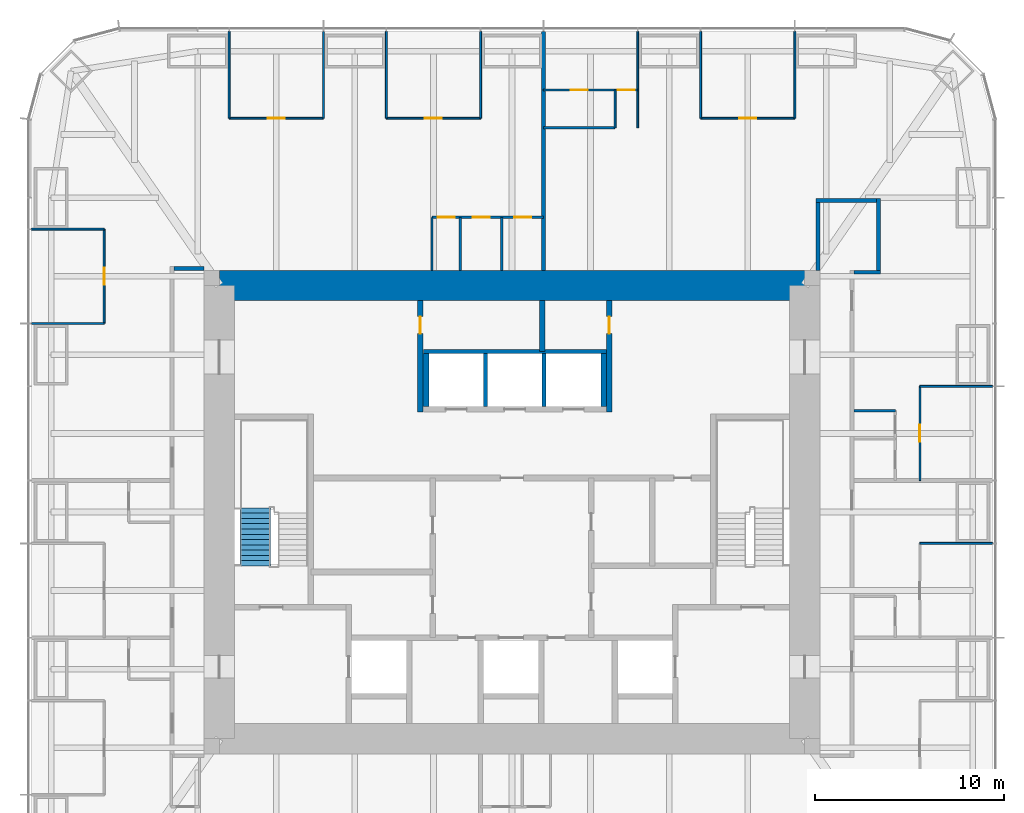
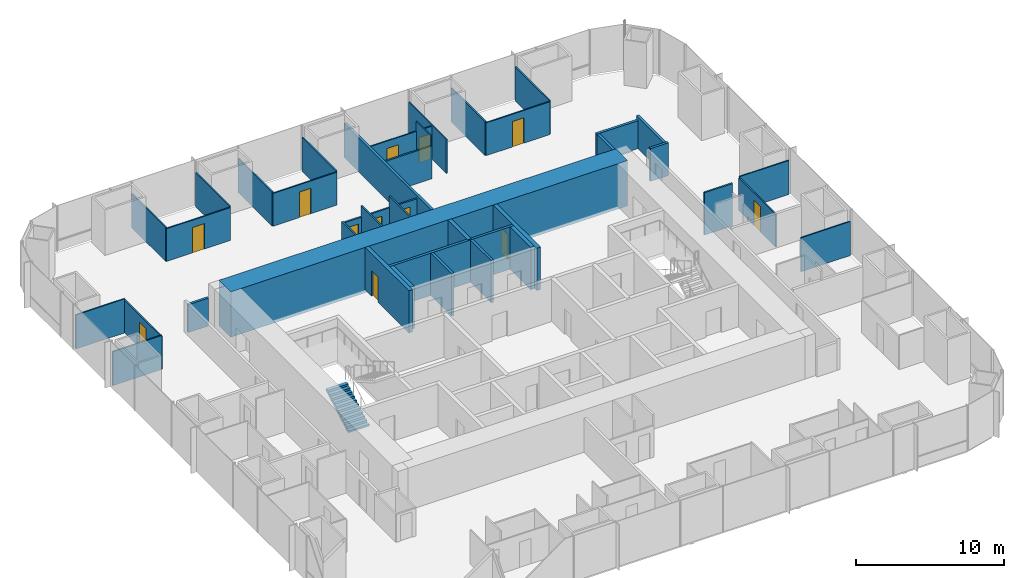
# One storey, part 11 of 13: 39 walls, 12 doors, 1 stair flight, 12 openings, 1 element without a shape of its own.
"""IFC4 building model written with IfcOpenShell, lengths in metres."""

from ifc_helpers import new_model, si_unit, direction, frame, frame_2d, origin, place, context, subcontext, project, spatial, polyline, rectangle, outline, extrude, material, layer, layer_set, type_object, element, fill, aggregate, save


model = new_model("IFC4")

# Units and contexts
model_context = context("Model", 3, precision=1e-05, world=origin(), true_north=direction((0.0, 1.0)))
body_context = subcontext(model_context, "Body", "Model", "MODEL_VIEW")
ifc_project = project(units=[si_unit("LENGTHUNIT", "METRE"), si_unit("AREAUNIT", "SQUARE_METRE"), si_unit("VOLUMEUNIT", "CUBIC_METRE"), si_unit("PLANEANGLEUNIT", "RADIAN"), si_unit("MASSUNIT", "GRAM", prefix="KILO")], contexts=[model_context])

# Site, building, storey
site_placement = place(None, origin())
site = spatial("IfcSite", under=ifc_project, at=site_placement, CompositionType="ELEMENT")
building_placement = place(site_placement, origin())
building = spatial("IfcBuilding", under=site, at=building_placement, Name="Khuree Lantern Residences", CompositionType="ELEMENT")
storey_placement = place(building_placement, frame((0.0, 0.0, 270.75)))
storey = spatial("IfcBuildingStorey", under=building, at=storey_placement, Name="L68", CompositionType="ELEMENT", Elevation=270.75)

# Walls
ifc_material_1 = material(Name="Moisture-resistant gypsum board on steel studs", Category="steel")
ifc_layer_1 = layer(ifc_material_1, 0.125)
ifc_layer_set_1 = layer_set([ifc_layer_1], Name="BATHROOM WALL BTW125")
wall_type_1 = type_object("IfcWallType", Name="BATHROOM WALL BTW125", PredefinedType="PARTITIONING", material=ifc_layer_set_1)
wall_1_placement = place(storey_placement, frame((5.4560546875, 20.344970703125, 0.0), z_axis=(0.0, 0.0, 1.0), x_axis=(-1.0, 0.0, 0.0)))
element("IfcWall", 1, at=wall_1_placement, inside=storey, type_object=wall_type_1, Name="L68 BATHROOM WALL 02", PredefinedType="PARTITIONING", context=body_context, shape_type="SweptSolid", body=[
    extrude(rectangle(XDim=3.7919921875, YDim=0.125, at=frame_2d((1.89599609375, 0.0))), origin(), (0.0, 0.0, 1.0), 2.7099609375),
])
wall_2_placement = place(storey_placement, frame((18.10009765625, 5.364013671875, 0.0), z_axis=(0.0, 0.0, 1.0), x_axis=(1.0, 0.0, 0.0)))
element("IfcWall", 2, at=wall_2_placement, inside=storey, type_object=wall_type_1, Name="L68 BATHROOM WALL 02", PredefinedType="PARTITIONING", context=body_context, shape_type="SweptSolid", body=[
    extrude(rectangle(XDim=2.199951171875, YDim=0.125, at=frame_2d((1.10009765625, 0.0))), origin(), (0.0, 0.0, 1.0), 3.5),
])

# Wall, openings, doors
wall_3_placement = place(storey_placement, frame((1.6640625, 15.60009765625, 0.0), z_axis=(0.0, 0.0, 1.0), x_axis=(-1.0, 0.0, 0.0)))
wall_3 = element("IfcWall", 3, at=wall_3_placement, inside=storey, type_object=wall_type_1, Name="L68 BATHROOM WALL 03", PredefinedType="PARTITIONING", context=body_context, shape_type="SweptSolid", body=[
    extrude(rectangle(XDim=5.900146484375, YDim=0.125, at=frame_2d((2.9501953125, 0.0))), origin(), (0.0, 0.0, 1.0), 2.60009765625),
])
opening_1_placement = place(wall_3_placement, frame((0.64990234375, 0.0, 0.0)))
opening_1 = element("IfcOpeningElement", 4, at=opening_1_placement, cuts=wall_3, Name="Opening 68-036", PredefinedType="OPENING", context=body_context, shape_type="SweptSolid", body=[
    extrude(rectangle(XDim=0.89990234375, YDim=2.10009765625, at=frame_2d((0.449951171875, 1.050048828125))), frame((0.0, 0.072509765625, 0.0), z_axis=(0.0, -1.0, 0.0), x_axis=(1.0, 0.0, 0.0)), (0.0, 0.0, 1.0), 0.14501953125),
])
opening_2_placement = place(wall_3_placement, frame((2.85009765625, 0.0, 0.0)))
opening_2 = element("IfcOpeningElement", 5, at=opening_2_placement, cuts=wall_3, Name="Opening 68-037", PredefinedType="OPENING", context=body_context, shape_type="SweptSolid", body=[
    extrude(rectangle(XDim=0.89990234375, YDim=2.10009765625, at=frame_2d((0.449951171875, 1.050048828125))), frame((0.0, 0.072509765625, 0.0), z_axis=(0.0, -1.0, 0.0), x_axis=(1.0, 0.0, 0.0)), (0.0, 0.0, 1.0), 0.14501953125),
])
opening_3_placement = place(wall_3_placement, frame((4.699951171875, 0.0, 0.0)))
opening_3 = element("IfcOpeningElement", 6, at=opening_3_placement, cuts=wall_3, Name="Opening 68-038", PredefinedType="OPENING", context=body_context, shape_type="SweptSolid", body=[
    extrude(rectangle(XDim=0.89990234375, YDim=2.10009765625, at=frame_2d((0.449951171875, 1.050048828125))), frame((0.0, 0.072509765625, 0.0), z_axis=(0.0, -1.0, 0.0), x_axis=(1.0, 0.0, 0.0)), (0.0, 0.0, 1.0), 0.14501953125),
])
ifc_material_2 = material(Name="Timber door leaf in hardwood frame", Category="wood")
door_type_1 = type_object("IfcDoorType", Name="BATHROOM DOOR 900X2100", OperationType="SINGLE_SWING_LEFT", PredefinedType="DOOR", material=ifc_material_2)
door_1_placement = place(opening_1_placement, origin())
door_1 = element("IfcDoor", 7, at=door_1_placement, inside=storey, type_object=door_type_1, Name="Bathroom door 68-036", OperationType="SINGLE_SWING_LEFT", OverallHeight=2.10009765625, OverallWidth=0.89990234375, PredefinedType="DOOR", context=body_context, shape_type="SweptSolid", body=[
    extrude(rectangle(XDim=0.89990234375, YDim=2.10009765625, at=frame_2d((0.449951171875, 1.050048828125))), frame((0.0, 0.02490234375, 0.0), z_axis=(0.0, -1.0, 0.0), x_axis=(1.0, 0.0, 0.0)), (0.0, 0.0, 1.0), 0.050048828125),
])
fill(opening_1, door_1)
door_2_placement = place(opening_2_placement, origin())
door_2 = element("IfcDoor", 8, at=door_2_placement, inside=storey, type_object=door_type_1, Name="Bathroom door 68-037", OperationType="SINGLE_SWING_LEFT", OverallHeight=2.10009765625, OverallWidth=0.89990234375, PredefinedType="DOOR", context=body_context, shape_type="SweptSolid", body=[
    extrude(rectangle(XDim=0.89990234375, YDim=2.10009765625, at=frame_2d((0.449951171875, 1.050048828125))), frame((0.0, 0.02490234375, 0.0), z_axis=(0.0, -1.0, 0.0), x_axis=(1.0, 0.0, 0.0)), (0.0, 0.0, 1.0), 0.050048828125),
])
fill(opening_2, door_2)
door_type_2 = type_object("IfcDoorType", Name="WC DOOR 900X2100", OperationType="SINGLE_SWING_LEFT", PredefinedType="DOOR", material=ifc_material_2)
door_3_placement = place(opening_3_placement, origin())
door_3 = element("IfcDoor", 9, at=door_3_placement, inside=storey, type_object=door_type_2, Name="WC door 68-038", OperationType="SINGLE_SWING_LEFT", OverallHeight=2.10009765625, OverallWidth=0.89990234375, PredefinedType="DOOR", context=body_context, shape_type="SweptSolid", body=[
    extrude(rectangle(XDim=0.89990234375, YDim=2.10009765625, at=frame_2d((0.449951171875, 1.050048828125))), frame((0.0, 0.02490234375, 0.0), z_axis=(0.0, -1.0, 0.0), x_axis=(1.0, 0.0, 0.0)), (0.0, 0.0, 1.0), 0.050048828125),
])
fill(opening_3, door_3)

# Walls
for number, where, z_axis, x_axis, name in (
    (10, (-0.535888671875, 12.800048828125, 0.0), (0.0, 0.0, 1.0), (0.0, 1.0, 0.0), "L68 BATHROOM WALL 03"),
    (11, (-2.736083984375, 12.800048828125, 0.0), (0.0, 0.0, 1.0), (0.0, 1.0, 0.0), "L68 BATHROOM WALL 03"),
):
    element("IfcWall", number, at=place(storey_placement, frame(where, z_axis=z_axis, x_axis=x_axis)), inside=storey, type_object=wall_type_1, Name=name, PredefinedType="PARTITIONING", context=body_context, shape_type="SweptSolid", body=[
        extrude(rectangle(XDim=2.800048828125, YDim=0.125, at=frame_2d((1.39990234375, 0.0))), origin(), (0.0, 0.0, 1.0), 3.5),
    ])
wall_4_placement = place(storey_placement, frame((-4.236083984375, 12.800048828125, 0.0), z_axis=(0.0, 0.0, 1.0), x_axis=(0.0, 1.0, 0.0)))
element("IfcWall", 12, at=wall_4_placement, inside=storey, type_object=wall_type_1, Name="L68 BATHROOM WALL 03", PredefinedType="PARTITIONING", context=body_context, shape_type="SweptSolid", body=[
    extrude(rectangle(XDim=2.800048828125, YDim=0.125, at=frame_2d((1.39990234375, 0.0))), origin(), (0.0, 0.0, 1.0), 2.7099609375),
])
ifc_material_3 = material(Name="Dense concrete blockwork", Category="masonry")
ifc_layer_2 = layer(ifc_material_3, 0.300048828125)
ifc_layer_set_2 = layer_set([ifc_layer_2], Name="CORE PARTITION WALL CPW300 EI 120")
wall_type_2 = type_object("IfcWallType", Name="CORE PARTITION WALL CPW300 EI 120", PredefinedType="PARTITIONING", material=ifc_layer_set_2)
for number, where, z_axis, x_axis, name in (
    (13, (-4.550048828125, 5.60009765625, 0.0), (0.0, 0.0, 1.0), (0.0, 1.0, 0.0), "L68 CORE WALL PHW"),
    (14, (4.85009765625, 5.60009765625, 0.0), (0.0, 0.0, 1.0), (0.0, 1.0, 0.0), "L68 CORE WALL PHE"),
):
    element("IfcWall", number, at=place(storey_placement, frame(where, z_axis=z_axis, x_axis=x_axis)), inside=storey, type_object=wall_type_2, Name=name, PredefinedType="PARTITIONING", context=body_context, shape_type="SweptSolid", body=[
        extrude(rectangle(XDim=2.7998046875, YDim=0.300048828125, at=frame_2d((1.39990234375, 0.0))), origin(), (0.0, 0.0, 1.0), 3.5),
    ])

# Wall, opening, door
wall_5_placement = place(storey_placement, frame((-4.85009765625, 5.300048828125, 0.0), z_axis=(0.0, 0.0, 1.0), x_axis=(0.0, 1.0, 0.0)))
wall_5 = element("IfcWall", 15, at=wall_5_placement, inside=storey, type_object=wall_type_2, Name="L68 CORE WALL NW", PredefinedType="PARTITIONING", context=body_context, shape_type="SweptSolid", body=[
    extrude(rectangle(XDim=5.89990234375, YDim=0.300048828125, at=frame_2d((2.949951171875, 0.0))), origin(), (0.0, 0.0, 1.0), 3.5),
])
opening_4_placement = place(wall_5_placement, frame((4.14990234375, 0.0, 0.0)))
opening_4 = element("IfcOpeningElement", 16, at=opening_4_placement, cuts=wall_5, Name="Opening 68-021", PredefinedType="OPENING", context=body_context, shape_type="SweptSolid", body=[
    extrude(rectangle(XDim=0.89990234375, YDim=2.10009765625, at=frame_2d((0.449951171875, 1.050048828125))), frame((0.0, 0.16015625, 0.0), z_axis=(0.0, -1.0, 0.0), x_axis=(1.0, 0.0, 0.0)), (0.0, 0.0, 1.0), 0.320068359375),
])
door_type_3 = type_object("IfcDoorType", Name="DOOR 900X2100 RIGHT HAND", OperationType="SINGLE_SWING_RIGHT", PredefinedType="DOOR", material=ifc_material_2)
door_4_placement = place(opening_4_placement, origin())
door_4 = element("IfcDoor", 17, at=door_4_placement, inside=storey, type_object=door_type_3, Name="Bulky waste store door 68-021", OperationType="SINGLE_SWING_RIGHT", OverallHeight=2.10009765625, OverallWidth=0.89990234375, PredefinedType="DOOR", context=body_context, shape_type="SweptSolid", body=[
    extrude(rectangle(XDim=0.89990234375, YDim=2.10009765625, at=frame_2d((0.449951171875, 1.050048828125))), frame((0.0, 0.02490234375, 0.0), z_axis=(0.0, -1.0, 0.0), x_axis=(1.0, 0.0, 0.0)), (0.0, 0.0, 1.0), 0.050048828125),
])
fill(opening_4, door_4)

wall_6_placement = place(storey_placement, frame((5.14990234375, 5.300048828125, 0.0), z_axis=(0.0, 0.0, 1.0), x_axis=(0.0, 1.0, 0.0)))
wall_6 = element("IfcWall", 18, at=wall_6_placement, inside=storey, type_object=wall_type_2, Name="L68 CORE WALL NE", PredefinedType="PARTITIONING", context=body_context, shape_type="SweptSolid", body=[
    extrude(rectangle(XDim=5.89990234375, YDim=0.300048828125, at=frame_2d((2.949951171875, 0.0))), origin(), (0.0, 0.0, 1.0), 3.5),
])
opening_5_placement = place(wall_6_placement, frame((4.14990234375, 0.0, 0.0)))
opening_5 = element("IfcOpeningElement", 19, at=opening_5_placement, cuts=wall_6, Name="Opening 68-022", PredefinedType="OPENING", context=body_context, shape_type="SweptSolid", body=[
    extrude(rectangle(XDim=0.89990234375, YDim=2.10009765625, at=frame_2d((0.449951171875, 1.050048828125))), frame((0.0, 0.16015625, 0.0), z_axis=(0.0, -1.0, 0.0), x_axis=(1.0, 0.0, 0.0)), (0.0, 0.0, 1.0), 0.320068359375),
])
door_type_4 = type_object("IfcDoorType", Name="DOOR 900X2100", OperationType="SINGLE_SWING_LEFT", PredefinedType="DOOR", material=ifc_material_2)
door_5_placement = place(opening_5_placement, origin())
door_5 = element("IfcDoor", 20, at=door_5_placement, inside=storey, type_object=door_type_4, Name="Comms room door 68-022", OperationType="SINGLE_SWING_LEFT", OverallHeight=2.10009765625, OverallWidth=0.89990234375, PredefinedType="DOOR", context=body_context, shape_type="SweptSolid", body=[
    extrude(rectangle(XDim=0.89990234375, YDim=2.10009765625, at=frame_2d((0.449951171875, 1.050048828125))), frame((0.0, 0.02490234375, 0.0), z_axis=(0.0, -1.0, 0.0), x_axis=(1.0, 0.0, 0.0)), (0.0, 0.0, 1.0), 0.050048828125),
])
fill(opening_5, door_5)

# Walls
wall_7_placement = place(storey_placement, frame((1.60009765625, 8.5, 0.0), z_axis=(0.0, 0.0, 1.0), x_axis=(0.0, 1.0, 0.0)))
element("IfcWall", 21, at=wall_7_placement, inside=storey, type_object=wall_type_2, Name="L68 CORE WALL NX", PredefinedType="PARTITIONING", context=body_context, shape_type="SweptSolid", body=[
    extrude(rectangle(XDim=2.699951171875, YDim=0.300048828125, at=frame_2d((1.35009765625, 0.0))), origin(), (0.0, 0.0, 1.0), 3.5),
])
ifc_material_4 = material(Name="Gypsum board on steel studs", Category="steel")
ifc_layer_3 = layer(ifc_material_4, 0.199951171875)
ifc_layer_set_3 = layer_set([ifc_layer_3], Name="CORRIDOR WALL CRW200 EI 60")
wall_type_3 = type_object("IfcWallType", Name="CORRIDOR WALL CRW200 EI 60", PredefinedType="PARTITIONING", material=ifc_layer_set_3)
wall_8_placement = place(storey_placement, frame((18.10009765625, 12.699951171875, 0.0), z_axis=(0.0, 0.0, 1.0), x_axis=(1.0, 0.0, 0.0)))
element("IfcWall", 22, at=wall_8_placement, inside=storey, type_object=wall_type_3, Name="L68 RESIDENTS LOUNGE WALL", PredefinedType="PARTITIONING", context=body_context, shape_type="SweptSolid", body=[
    extrude(rectangle(XDim=1.39990234375, YDim=0.199951171875, at=frame_2d((0.699951171875, 0.0))), origin(), (0.0, 0.0, 1.0), 2.7099609375),
])
wall_9_placement = place(storey_placement, frame((19.39990234375, 12.60009765625, 0.0), z_axis=(0.0, 0.0, 1.0), x_axis=(0.0, 1.0, 0.0)))
element("IfcWall", 23, at=wall_9_placement, inside=storey, type_object=wall_type_3, Name="L68 RESIDENTS LOUNGE WALL", PredefinedType="PARTITIONING", context=body_context, shape_type="SweptSolid", body=[
    extrude(rectangle(XDim=4.0, YDim=0.199951171875, at=frame_2d((2.0, 0.0))), origin(), (0.0, 0.0, 1.0), 2.60009765625),
])
wall_10_placement = place(storey_placement, frame((19.300048828125, 16.5, 0.0), z_axis=(0.0, 0.0, 1.0), x_axis=(-1.0, 0.0, 0.0)))
element("IfcWall", 24, at=wall_10_placement, inside=storey, type_object=wall_type_3, Name="L68 RESIDENTS LOUNGE WALL", PredefinedType="PARTITIONING", context=body_context, shape_type="SweptSolid", body=[
    extrude(rectangle(XDim=3.199951171875, YDim=0.199951171875, at=frame_2d((1.60009765625, 0.0))), origin(), (0.0, 0.0, 1.0), 2.300048828125),
])
wall_11_placement = place(storey_placement, frame((16.199951171875, 16.60009765625, 0.0), z_axis=(0.0, 0.0, 1.0), x_axis=(0.0, -1.0, 0.0)))
element("IfcWall", 25, at=wall_11_placement, inside=storey, type_object=wall_type_3, Name="L68 RESIDENTS LOUNGE WALL", PredefinedType="PARTITIONING", context=body_context, shape_type="SweptSolid", body=[
    extrude(rectangle(XDim=3.800048828125, YDim=0.199951171875, at=frame_2d((1.89990234375, 0.0))), origin(), (0.0, 0.0, 1.0), 2.300048828125),
])
wall_12_placement = place(storey_placement, frame((-16.300048828125, 12.89990234375, 0.0), z_axis=(0.0, 0.0, 1.0), x_axis=(-1.0, 0.0, 0.0)))
element("IfcWall", 26, at=wall_12_placement, inside=storey, type_object=wall_type_3, Name="L68 WEST CORRIDOR NORTH END WALL", PredefinedType="PARTITIONING", context=body_context, shape_type="SweptSolid", body=[
    extrude(rectangle(XDim=1.599853515625, YDim=0.199951171875, at=frame_2d((0.7998046875, 0.0))), origin(), (0.0, 0.0, 1.0), 2.300048828125),
])
ifc_material_5 = material(Name="Concrete C50/60", Category="concrete")
ifc_layer_4 = layer(ifc_material_5, 1.60009765625)
ifc_layer_set_4 = layer_set([ifc_layer_4], Name="CW1600-C50 CORE WALL C50 1600")
wall_type_4 = type_object("IfcWallType", Name="CW1600-C50 CORE WALL C50 1600", PredefinedType="SHEAR", material=ifc_layer_set_4)
wall_13_placement = place(storey_placement, frame((-15.5, 12.0, -0.25), z_axis=(0.0, 0.0, 1.0), x_axis=(1.0, 0.0, 0.0)))
element("IfcWall", 27, at=wall_13_placement, inside=storey, type_object=wall_type_4, Name="Core wall N", PredefinedType="SHEAR", context=body_context, shape_type="SweptSolid", body=[
    extrude(rectangle(XDim=31.0, YDim=1.60009765625, at=frame_2d((15.5, 0.0))), origin(), (0.0, 0.0, 1.0), 3.75),
])
ifc_layer_5 = layer(ifc_material_4, 0.199951171875)
ifc_layer_set_5 = layer_set([ifc_layer_5], Name="DEMISING WALL DMW200 EI 90")
wall_type_5 = type_object("IfcWallType", Name="DEMISING WALL DMW200 EI 90", PredefinedType="PARTITIONING", material=ifc_layer_set_5)
wall_14_placement = place(storey_placement, frame((1.6640625, 12.800048828125, 0.0), z_axis=(0.0, 0.0, 1.0), x_axis=(0.0, 1.0, 0.0)))
element("IfcWall", 28, at=wall_14_placement, inside=storey, type_object=wall_type_5, Name="L68 DEMISING WALL 03", PredefinedType="PARTITIONING", context=body_context, shape_type="SweptSolid", body=[
    extrude(rectangle(XDim=12.64990234375, YDim=0.199951171875, at=frame_2d((6.324951171875, 0.0))), origin(), (0.0, 0.0, 1.0), 2.81005859375),
])
ifc_layer_6 = layer(ifc_material_4, 0.10009765625)
ifc_layer_set_6 = layer_set([ifc_layer_6], Name="PARTITION PT100")
wall_type_6 = type_object("IfcWallType", Name="PARTITION PT100", PredefinedType="PARTITIONING", material=ifc_layer_set_6)
for number, where, z_axis, x_axis, name in (
    (29, (21.60009765625, -1.6640625, 0.0), (0.0, 0.0, 1.0), (1.0, 0.0, 0.0), "L68 PARTITION 01"),
    (30, (21.60009765625, 6.656005859375, 0.0), (0.0, 0.0, 1.0), (1.0, 0.0, 0.0), "L68 PARTITION 02"),
):
    element("IfcWall", number, at=place(storey_placement, frame(where, z_axis=z_axis, x_axis=x_axis)), inside=storey, type_object=wall_type_6, Name=name, PredefinedType="PARTITIONING", context=body_context, shape_type="SweptSolid", body=[
        extrude(rectangle(XDim=3.849853515625, YDim=0.10009765625, at=frame_2d((1.9248046875, 0.0))), origin(), (0.0, 0.0, 1.0), 2.81005859375),
    ])
for number, where, z_axis, x_axis, name in (
    (31, (14.97607421875, 20.85009765625, 0.0), (0.0, 0.0, 1.0), (0.0, 1.0, 0.0), "L68 PARTITION 02"),
    (32, (9.98388671875, 20.85009765625, 0.0), (0.0, 0.0, 1.0), (0.0, 1.0, 0.0), "L68 PARTITION 02"),
):
    element("IfcWall", number, at=place(storey_placement, frame(where, z_axis=z_axis, x_axis=x_axis)), inside=storey, type_object=wall_type_6, Name=name, PredefinedType="PARTITIONING", context=body_context, shape_type="SweptSolid", body=[
        extrude(rectangle(XDim=4.599853515625, YDim=0.10009765625, at=frame_2d((2.2998046875, 0.0))), origin(), (0.0, 0.0, 1.0), 2.81005859375),
    ])
wall_15_placement = place(storey_placement, frame((6.656005859375, 20.344970703125, 0.0), z_axis=(0.0, 0.0, 1.0), x_axis=(0.0, 1.0, 0.0)))
element("IfcWall", 33, at=wall_15_placement, inside=storey, type_object=wall_type_6, Name="L68 PARTITION 02", PredefinedType="PARTITIONING", context=body_context, shape_type="SweptSolid", body=[
    extrude(rectangle(XDim=5.10498046875, YDim=0.10009765625, at=frame_2d((2.552490234375, 0.0))), origin(), (0.0, 0.0, 1.0), 2.81005859375),
])
for number, where, z_axis, x_axis, name in (
    (34, (-1.6640625, 20.85009765625, 0.0), (0.0, 0.0, 1.0), (0.0, 1.0, 0.0), "L68 PARTITION 03"),
    (35, (-6.656005859375, 20.85009765625, 0.0), (0.0, 0.0, 1.0), (0.0, 1.0, 0.0), "L68 PARTITION 03"),
    (36, (-9.98388671875, 20.85009765625, 0.0), (0.0, 0.0, 1.0), (0.0, 1.0, 0.0), "L68 PARTITION 03"),
    (37, (-14.97607421875, 20.85009765625, 0.0), (0.0, 0.0, 1.0), (0.0, 1.0, 0.0), "L68 PARTITION 03"),
):
    element("IfcWall", number, at=place(storey_placement, frame(where, z_axis=z_axis, x_axis=x_axis)), inside=storey, type_object=wall_type_6, Name=name, PredefinedType="PARTITIONING", context=body_context, shape_type="SweptSolid", body=[
        extrude(rectangle(XDim=4.599853515625, YDim=0.10009765625, at=frame_2d((2.2998046875, 0.0))), origin(), (0.0, 0.0, 1.0), 2.81005859375),
    ])
for number, where, z_axis, x_axis, name in (
    (38, (-21.60009765625, 14.97607421875, 0.0), (0.0, 0.0, 1.0), (-1.0, 0.0, 0.0), "L68 PARTITION 03"),
    (39, (-21.60009765625, 9.98388671875, 0.0), (0.0, 0.0, 1.0), (-1.0, 0.0, 0.0), "L68 PARTITION 03"),
):
    element("IfcWall", number, at=place(storey_placement, frame(where, z_axis=z_axis, x_axis=x_axis)), inside=storey, type_object=wall_type_6, Name=name, PredefinedType="PARTITIONING", context=body_context, shape_type="SweptSolid", body=[
        extrude(rectangle(XDim=3.849853515625, YDim=0.10009765625, at=frame_2d((1.9248046875, 0.0))), origin(), (0.0, 0.0, 1.0), 2.81005859375),
    ])

# Wall, opening, door
wall_16_placement = place(storey_placement, frame((21.60009765625, 1.6640625, 0.0), z_axis=(0.0, 0.0, 1.0), x_axis=(0.0, 1.0, 0.0)))
wall_16 = element("IfcWall", 40, at=wall_16_placement, inside=storey, type_object=wall_type_6, Name="L68 PARTITION 02", PredefinedType="PARTITIONING", context=body_context, shape_type="SweptSolid", body=[
    extrude(rectangle(XDim=4.991943359375, YDim=0.10009765625, at=frame_2d((2.49609375, 0.0))), origin(), (0.0, 0.0, 1.0), 2.7099609375),
])
opening_6_placement = place(wall_16_placement, frame((2.0458984375, 0.0, 0.0)))
opening_6 = element("IfcOpeningElement", 41, at=opening_6_placement, cuts=wall_16, Name="Opening 68-026", PredefinedType="OPENING", context=body_context, shape_type="SweptSolid", body=[
    extrude(rectangle(XDim=0.89990234375, YDim=2.10009765625, at=frame_2d((0.449951171875, 1.050048828125))), frame((0.0, 0.06005859375, 0.0), z_axis=(0.0, -1.0, 0.0), x_axis=(1.0, 0.0, 0.0)), (0.0, 0.0, 1.0), 0.1201171875),
])
door_type_5 = type_object("IfcDoorType", Name="BEDROOM DOOR 900X2100", OperationType="SINGLE_SWING_LEFT", PredefinedType="DOOR", material=ifc_material_2)
door_6_placement = place(opening_6_placement, origin())
door_6 = element("IfcDoor", 42, at=door_6_placement, inside=storey, type_object=door_type_5, Name="Bedroom door 68-026", OperationType="SINGLE_SWING_LEFT", OverallHeight=2.10009765625, OverallWidth=0.89990234375, PredefinedType="DOOR", context=body_context, shape_type="SweptSolid", body=[
    extrude(rectangle(XDim=0.89990234375, YDim=2.10009765625, at=frame_2d((0.449951171875, 1.050048828125))), frame((0.0, 0.02490234375, 0.0), z_axis=(0.0, -1.0, 0.0), x_axis=(1.0, 0.0, 0.0)), (0.0, 0.0, 1.0), 0.050048828125),
])
fill(opening_6, door_6)

wall_17_placement = place(storey_placement, frame((14.97607421875, 20.85009765625, 0.0), z_axis=(0.0, 0.0, 1.0), x_axis=(-1.0, 0.0, 0.0)))
wall_17 = element("IfcWall", 43, at=wall_17_placement, inside=storey, type_object=wall_type_6, Name="L68 PARTITION 02", PredefinedType="PARTITIONING", context=body_context, shape_type="SweptSolid", body=[
    extrude(rectangle(XDim=4.9921875, YDim=0.10009765625, at=frame_2d((2.49609375, 0.0))), origin(), (0.0, 0.0, 1.0), 2.7099609375),
])
opening_7_placement = place(wall_17_placement, frame((2.0458984375, 0.0, 0.0)))
opening_7 = element("IfcOpeningElement", 44, at=opening_7_placement, cuts=wall_17, Name="Opening 68-027", PredefinedType="OPENING", context=body_context, shape_type="SweptSolid", body=[
    extrude(rectangle(XDim=0.89990234375, YDim=2.10009765625, at=frame_2d((0.449951171875, 1.050048828125))), frame((0.0, 0.06005859375, 0.0), z_axis=(0.0, -1.0, 0.0), x_axis=(1.0, 0.0, 0.0)), (0.0, 0.0, 1.0), 0.1201171875),
])
door_7_placement = place(opening_7_placement, origin())
door_7 = element("IfcDoor", 45, at=door_7_placement, inside=storey, type_object=door_type_5, Name="Bedroom door 68-027", OperationType="SINGLE_SWING_LEFT", OverallHeight=2.10009765625, OverallWidth=0.89990234375, PredefinedType="DOOR", context=body_context, shape_type="SweptSolid", body=[
    extrude(rectangle(XDim=0.89990234375, YDim=2.10009765625, at=frame_2d((0.449951171875, 1.050048828125))), frame((0.0, 0.02490234375, 0.0), z_axis=(0.0, -1.0, 0.0), x_axis=(1.0, 0.0, 0.0)), (0.0, 0.0, 1.0), 0.050048828125),
])
fill(opening_7, door_7)

# Wall, openings, doors
wall_18_placement = place(storey_placement, frame((6.656005859375, 22.344970703125, 0.0), z_axis=(0.0, 0.0, 1.0), x_axis=(-1.0, 0.0, 0.0)))
wall_18 = element("IfcWall", 46, at=wall_18_placement, inside=storey, type_object=wall_type_6, Name="L68 PARTITION 02", PredefinedType="PARTITIONING", context=body_context, shape_type="SweptSolid", body=[
    extrude(rectangle(XDim=4.991943359375, YDim=0.10009765625, at=frame_2d((2.49609375, 0.0))), origin(), (0.0, 0.0, 1.0), 2.7099609375),
])
opening_8_placement = place(wall_18_placement, frame((0.14990234375, 0.0, 0.0)))
opening_8 = element("IfcOpeningElement", 47, at=opening_8_placement, cuts=wall_18, Name="Opening 68-028", PredefinedType="OPENING", context=body_context, shape_type="SweptSolid", body=[
    extrude(rectangle(XDim=0.89990234375, YDim=2.10009765625, at=frame_2d((0.449951171875, 1.050048828125))), frame((0.0, 0.06005859375, 0.0), z_axis=(0.0, -1.0, 0.0), x_axis=(1.0, 0.0, 0.0)), (0.0, 0.0, 1.0), 0.1201171875),
])
opening_9_placement = place(wall_18_placement, frame((2.64599609375, 0.0, 0.0)))
opening_9 = element("IfcOpeningElement", 48, at=opening_9_placement, cuts=wall_18, Name="Opening 68-029", PredefinedType="OPENING", context=body_context, shape_type="SweptSolid", body=[
    extrude(rectangle(XDim=0.89990234375, YDim=2.10009765625, at=frame_2d((0.449951171875, 1.050048828125))), frame((0.0, 0.06005859375, 0.0), z_axis=(0.0, -1.0, 0.0), x_axis=(1.0, 0.0, 0.0)), (0.0, 0.0, 1.0), 0.1201171875),
])
door_type_6 = type_object("IfcDoorType", Name="BATHROOM DOOR 900X2100 RIGHT HAND", OperationType="SINGLE_SWING_RIGHT", PredefinedType="DOOR", material=ifc_material_2)
door_8_placement = place(opening_9_placement, origin())
door_8 = element("IfcDoor", 49, at=door_8_placement, inside=storey, type_object=door_type_6, Name="Bathroom door 68-029", OperationType="SINGLE_SWING_RIGHT", OverallHeight=2.10009765625, OverallWidth=0.89990234375, PredefinedType="DOOR", context=body_context, shape_type="SweptSolid", body=[
    extrude(rectangle(XDim=0.89990234375, YDim=2.10009765625, at=frame_2d((0.449951171875, 1.050048828125))), frame((0.0, 0.02490234375, 0.0), z_axis=(0.0, -1.0, 0.0), x_axis=(1.0, 0.0, 0.0)), (0.0, 0.0, 1.0), 0.050048828125),
])
fill(opening_9, door_8)
door_9_placement = place(opening_8_placement, origin())
door_9 = element("IfcDoor", 50, at=door_9_placement, inside=storey, type_object=door_type_5, Name="Bedroom door 68-028", OperationType="SINGLE_SWING_LEFT", OverallHeight=2.10009765625, OverallWidth=0.89990234375, PredefinedType="DOOR", context=body_context, shape_type="SweptSolid", body=[
    extrude(rectangle(XDim=0.89990234375, YDim=2.10009765625, at=frame_2d((0.449951171875, 1.050048828125))), frame((0.0, 0.02490234375, 0.0), z_axis=(0.0, -1.0, 0.0), x_axis=(1.0, 0.0, 0.0)), (0.0, 0.0, 1.0), 0.050048828125),
])
fill(opening_8, door_9)

# Wall
wall_19_placement = place(storey_placement, frame((5.4560546875, 20.344970703125, 0.0), z_axis=(0.0, 0.0, 1.0), x_axis=(0.0, 1.0, 0.0)))
element("IfcWall", 51, at=wall_19_placement, inside=storey, type_object=wall_type_6, Name="L68 PARTITION 02", PredefinedType="PARTITIONING", context=body_context, shape_type="SweptSolid", body=[
    extrude(rectangle(XDim=2.0, YDim=0.10009765625, at=frame_2d((1.0, 0.0))), origin(), (0.0, 0.0, 1.0), 3.5),
])

# Wall, opening, door
wall_20_placement = place(storey_placement, frame((-1.6640625, 20.85009765625, 0.0), z_axis=(0.0, 0.0, 1.0), x_axis=(-1.0, 0.0, 0.0)))
wall_20 = element("IfcWall", 52, at=wall_20_placement, inside=storey, type_object=wall_type_6, Name="L68 PARTITION 03", PredefinedType="PARTITIONING", context=body_context, shape_type="SweptSolid", body=[
    extrude(rectangle(XDim=4.991943359375, YDim=0.10009765625, at=frame_2d((2.49609375, 0.0))), origin(), (0.0, 0.0, 1.0), 2.7099609375),
])
opening_10_placement = place(wall_20_placement, frame((2.0458984375, 0.0, 0.0)))
opening_10 = element("IfcOpeningElement", 53, at=opening_10_placement, cuts=wall_20, Name="Opening 68-033", PredefinedType="OPENING", context=body_context, shape_type="SweptSolid", body=[
    extrude(rectangle(XDim=0.89990234375, YDim=2.10009765625, at=frame_2d((0.449951171875, 1.050048828125))), frame((0.0, 0.06005859375, 0.0), z_axis=(0.0, -1.0, 0.0), x_axis=(1.0, 0.0, 0.0)), (0.0, 0.0, 1.0), 0.1201171875),
])
door_10_placement = place(opening_10_placement, origin())
door_10 = element("IfcDoor", 54, at=door_10_placement, inside=storey, type_object=door_type_5, Name="Bedroom door 68-033", OperationType="SINGLE_SWING_LEFT", OverallHeight=2.10009765625, OverallWidth=0.89990234375, PredefinedType="DOOR", context=body_context, shape_type="SweptSolid", body=[
    extrude(rectangle(XDim=0.89990234375, YDim=2.10009765625, at=frame_2d((0.449951171875, 1.050048828125))), frame((0.0, 0.02490234375, 0.0), z_axis=(0.0, -1.0, 0.0), x_axis=(1.0, 0.0, 0.0)), (0.0, 0.0, 1.0), 0.050048828125),
])
fill(opening_10, door_10)

wall_21_placement = place(storey_placement, frame((-9.98388671875, 20.85009765625, 0.0), z_axis=(0.0, 0.0, 1.0), x_axis=(-1.0, 0.0, 0.0)))
wall_21 = element("IfcWall", 55, at=wall_21_placement, inside=storey, type_object=wall_type_6, Name="L68 PARTITION 03", PredefinedType="PARTITIONING", context=body_context, shape_type="SweptSolid", body=[
    extrude(rectangle(XDim=4.9921875, YDim=0.10009765625, at=frame_2d((2.49609375, 0.0))), origin(), (0.0, 0.0, 1.0), 2.7099609375),
])
opening_11_placement = place(wall_21_placement, frame((2.0458984375, 0.0, 0.0)))
opening_11 = element("IfcOpeningElement", 56, at=opening_11_placement, cuts=wall_21, Name="Opening 68-034", PredefinedType="OPENING", context=body_context, shape_type="SweptSolid", body=[
    extrude(rectangle(XDim=0.89990234375, YDim=2.10009765625, at=frame_2d((0.449951171875, 1.050048828125))), frame((0.0, 0.06005859375, 0.0), z_axis=(0.0, -1.0, 0.0), x_axis=(1.0, 0.0, 0.0)), (0.0, 0.0, 1.0), 0.1201171875),
])
door_11_placement = place(opening_11_placement, origin())
door_11 = element("IfcDoor", 57, at=door_11_placement, inside=storey, type_object=door_type_5, Name="Bedroom door 68-034", OperationType="SINGLE_SWING_LEFT", OverallHeight=2.10009765625, OverallWidth=0.89990234375, PredefinedType="DOOR", context=body_context, shape_type="SweptSolid", body=[
    extrude(rectangle(XDim=0.89990234375, YDim=2.10009765625, at=frame_2d((0.449951171875, 1.050048828125))), frame((0.0, 0.02490234375, 0.0), z_axis=(0.0, -1.0, 0.0), x_axis=(1.0, 0.0, 0.0)), (0.0, 0.0, 1.0), 0.050048828125),
])
fill(opening_11, door_11)

wall_22_placement = place(storey_placement, frame((-21.60009765625, 14.97607421875, 0.0), z_axis=(0.0, 0.0, 1.0), x_axis=(0.0, -1.0, 0.0)))
wall_22 = element("IfcWall", 58, at=wall_22_placement, inside=storey, type_object=wall_type_6, Name="L68 PARTITION 03", PredefinedType="PARTITIONING", context=body_context, shape_type="SweptSolid", body=[
    extrude(rectangle(XDim=4.9921875, YDim=0.10009765625, at=frame_2d((2.49609375, 0.0))), origin(), (0.0, 0.0, 1.0), 2.7099609375),
])
opening_12_placement = place(wall_22_placement, frame((2.0458984375, 0.0, 0.0)))
opening_12 = element("IfcOpeningElement", 59, at=opening_12_placement, cuts=wall_22, Name="Opening 68-035", PredefinedType="OPENING", context=body_context, shape_type="SweptSolid", body=[
    extrude(rectangle(XDim=0.89990234375, YDim=2.10009765625, at=frame_2d((0.449951171875, 1.050048828125))), frame((0.0, 0.06005859375, 0.0), z_axis=(0.0, -1.0, 0.0), x_axis=(1.0, 0.0, 0.0)), (0.0, 0.0, 1.0), 0.1201171875),
])
door_12_placement = place(opening_12_placement, origin())
door_12 = element("IfcDoor", 60, at=door_12_placement, inside=storey, type_object=door_type_5, Name="Bedroom door 68-035", OperationType="SINGLE_SWING_LEFT", OverallHeight=2.10009765625, OverallWidth=0.89990234375, PredefinedType="DOOR", context=body_context, shape_type="SweptSolid", body=[
    extrude(rectangle(XDim=0.89990234375, YDim=2.10009765625, at=frame_2d((0.449951171875, 1.050048828125))), frame((0.0, 0.02490234375, 0.0), z_axis=(0.0, -1.0, 0.0), x_axis=(1.0, 0.0, 0.0)), (0.0, 0.0, 1.0), 0.050048828125),
])
fill(opening_12, door_12)

# Walls
ifc_layer_7 = layer(ifc_material_3, 0.199951171875)
ifc_layer_set_7 = layer_set([ifc_layer_7], Name="SHAFT WALL SHW200 EI 120")
wall_type_7 = type_object("IfcWallType", Name="SHAFT WALL SHW200 EI 120", PredefinedType="PARTITIONING", material=ifc_layer_set_7)
wall_23_placement = place(storey_placement, frame((-4.699951171875, 8.5, 0.0), z_axis=(0.0, 0.0, 1.0), x_axis=(1.0, 0.0, 0.0)))
element("IfcWall", 61, at=wall_23_placement, inside=storey, type_object=wall_type_7, Name="L68 CORE WALL PHN", PredefinedType="PARTITIONING", context=body_context, shape_type="SweptSolid", body=[
    extrude(rectangle(XDim=9.699951171875, YDim=0.199951171875, at=frame_2d((4.85009765625, 0.0))), origin(), (0.0, 0.0, 1.0), 3.5),
])
for number, where, z_axis, x_axis, name in (
    (62, (-1.39990234375, 5.60009765625, 0.0), (0.0, 0.0, 1.0), (0.0, 1.0, 0.0), "L68 CORE WALL PHD1"),
    (63, (1.699951171875, 5.60009765625, 0.0), (0.0, 0.0, 1.0), (0.0, 1.0, 0.0), "L68 CORE WALL PHD2"),
):
    element("IfcWall", number, at=place(storey_placement, frame(where, z_axis=z_axis, x_axis=x_axis)), inside=storey, type_object=wall_type_7, Name=name, PredefinedType="PARTITIONING", context=body_context, shape_type="SweptSolid", body=[
        extrude(rectangle(XDim=2.7998046875, YDim=0.199951171875, at=frame_2d((1.39990234375, 0.0))), origin(), (0.0, 0.0, 1.0), 3.5),
    ])

# Stair, stair flight
ifc_material_6 = material(Name="Concrete C40/50", Category="concrete")
stair_type = type_object("IfcStairType", Name="STAIR ST1 HALF TURN 3600", PredefinedType="HALF_TURN_STAIR", material=ifc_material_6)
stair_placement = place(storey_placement, origin())
stair = element("IfcStair", 64, at=stair_placement, inside=storey, type_object=stair_type, Name="Stair ST1", PredefinedType="HALF_TURN_STAIR")
stair_flight_type = type_object("IfcStairFlightType", Name="STAIR FLIGHT SF1 1600", PredefinedType="STRAIGHT", material=ifc_material_6)
stair_flight_placement = place(storey_placement, frame((-13.60009765625, -2.860107421875, 0.0), z_axis=(0.0, 0.0, 1.0), x_axis=(0.0, 1.0, 0.0)))
stair_flight = element("IfcStairFlight", 65, at=stair_flight_placement, type_object=stair_flight_type, Name="ST1 flight 1", NumberOfRisers=12, NumberOfTreads=11, PredefinedType="STRAIGHT", RiserHeight=0.163043478, TreadLength=0.28, context=body_context, shape_type="SweptSolid", body=[
    extrude(outline(polyline([(0.0, 0.0), (0.0, 0.1630859375), (0.280029296875, 0.1630859375), (0.280029296875, 0.326171875), (0.56005859375, 0.326171875), (0.56005859375, 0.489013671875), (0.840087890625, 0.489013671875), (0.840087890625, 0.652099609375), (1.1201171875, 0.652099609375), (1.1201171875, 0.815185546875), (1.39990234375, 0.815185546875), (1.39990234375, 0.978271484375), (1.679931640625, 0.978271484375), (1.679931640625, 1.141357421875), (1.9599609375, 1.141357421875), (1.9599609375, 1.304443359375), (2.239990234375, 1.304443359375), (2.239990234375, 1.46728515625), (2.52001953125, 1.46728515625), (2.52001953125, 1.63037109375), (2.800048828125, 1.63037109375), (2.800048828125, 1.79345703125), (3.080078125, 1.79345703125), (3.080078125, 1.95654296875), (3.080078125, 1.6201171875), (0.2978515625, 0.0), (0.0, 0.0)])), frame((0.0, 0.800048828125, 0.0), z_axis=(0.0, -1.0, 0.0), x_axis=(1.0, 0.0, 0.0)), (0.0, 0.0, 1.0), 1.60009765625),
])
aggregate(stair, [stair_flight])

save(model, "model.ifc")
